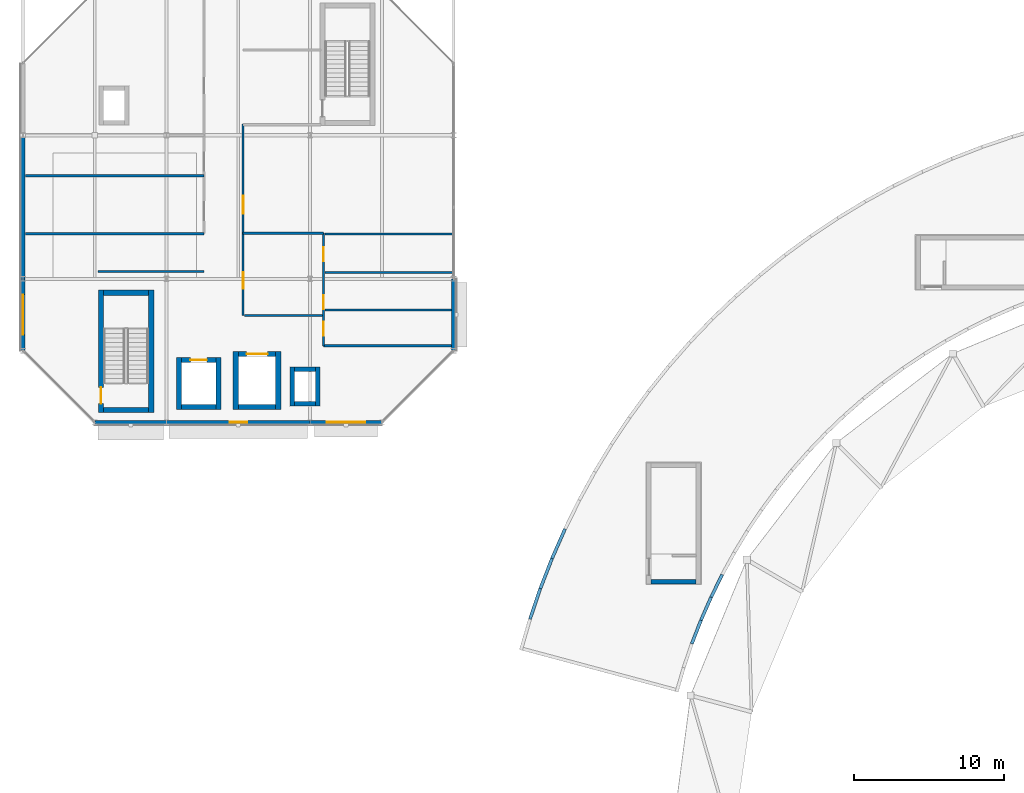
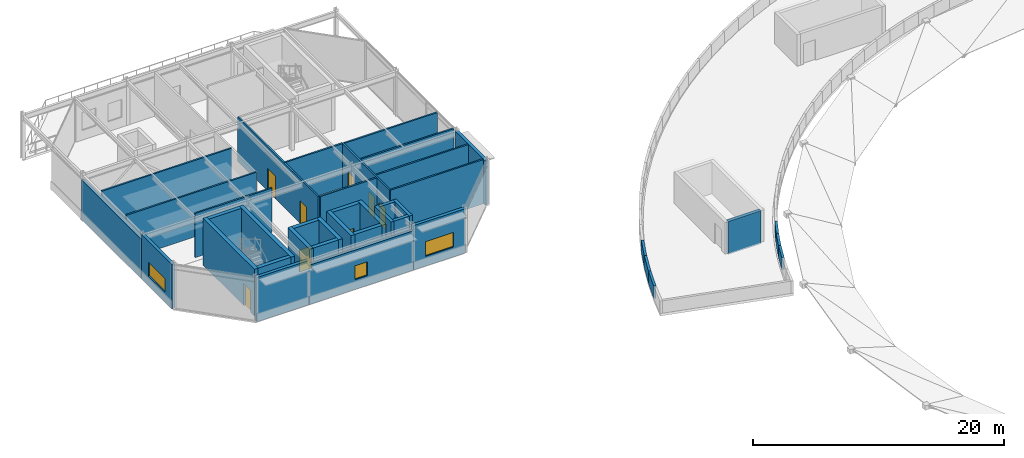
# One storey, part 32 of 50: 40 walls, 8 doors, 3 windows, 11 openings.
"""IFC4 building model written with IfcOpenShell, lengths in metres."""

from ifc_helpers import new_model, si_unit, direction, frame, frame_2d, origin, place, context, subcontext, project, spatial, rectangle, extrude, material, layer, layer_set, type_object, element, fill, save


model = new_model("IFC4")

# Units and contexts
model_context = context("Model", 3, precision=1e-05, world=origin(), true_north=direction((0.0, 1.0)))
body_context = subcontext(model_context, "Body", "Model", "MODEL_VIEW")
ifc_project = project(units=[si_unit("LENGTHUNIT", "METRE"), si_unit("AREAUNIT", "SQUARE_METRE"), si_unit("VOLUMEUNIT", "CUBIC_METRE"), si_unit("PLANEANGLEUNIT", "RADIAN"), si_unit("MASSUNIT", "GRAM", prefix="KILO")], contexts=[model_context])

# Site, building, storey
site_placement = place(None, origin())
site = spatial("IfcSite", under=ifc_project, at=site_placement, CompositionType="ELEMENT")
building_placement = place(site_placement, origin())
building = spatial("IfcBuilding", under=site, at=building_placement, Name="Almandine Court Research Institute", CompositionType="ELEMENT")
storey_placement = place(building_placement, frame((0.0, 0.0, 23.449951171875)))
storey = spatial("IfcBuildingStorey", under=building, at=storey_placement, Name="L05", CompositionType="ELEMENT", Elevation=23.449951171875)

# Wall, opening, window
ifc_material_1 = material(Name="Insulated Ochre Terracotta Rainscreen Wall", Category="masonry")
ifc_layer_1 = layer(ifc_material_1, 0.2900390625)
ifc_layer_set_1 = layer_set([ifc_layer_1], Name="Insulated Ochre Terracotta Rainscreen Wall")
wall_type_1 = type_object("IfcWallType", Name="Wall-EXT-TERR-290", PredefinedType="SOLIDWALL", material=ifc_layer_set_1)
wall_1_placement = place(storey_placement, frame((6.0, 88.803955078125, 0.0), z_axis=(0.0, 0.0, 1.0), x_axis=(0.0, 1.0, 0.0)))
wall_1 = element("IfcWall", 1, at=wall_1_placement, inside=storey, type_object=wall_type_1, Name="L05 Cleanroom West Wall 1", PredefinedType="SOLIDWALL", context=body_context, shape_type="SweptSolid", body=[
    extrude(rectangle(XDim=4.7919921875, YDim=0.2900390625, at=frame_2d((2.39599609375, 0.0))), origin(), (0.0, 0.0, 1.0), 4.31005859375),
])
opening_1_placement = place(wall_1_placement, frame((1.0458984375, 0.0, 0.949951171875)))
opening_1 = element("IfcOpeningElement", 2, at=opening_1_placement, cuts=wall_1, Name="Opening WN-40", PredefinedType="OPENING", context=body_context, shape_type="SweptSolid", body=[
    extrude(rectangle(XDim=2.699951171875, YDim=1.35009765625, at=frame_2d((1.35009765625, 0.675048828125))), frame((0.0, 0.155029296875, 0.0), z_axis=(0.0, -1.0, 0.0), x_axis=(1.0, 0.0, 0.0)), (0.0, 0.0, 1.0), 0.31005859375),
])
ifc_material_2 = material(Name="Thermally Broken Low-E Double-Glazed Window", Category="glass")
window_type_1 = type_object("IfcWindowType", Name="Win-WN-40-2700x1350", PartitioningType="SINGLE_PANEL", PredefinedType="WINDOW", material=ifc_material_2)
window_1_placement = place(opening_1_placement, origin())
window_1 = element("IfcWindow", 3, at=window_1_placement, inside=storey, type_object=window_type_1, Name="L05 Modular Recessed Low-E Window 60", OverallHeight=1.35009765625, OverallWidth=2.699951171875, PartitioningType="SINGLE_PANEL", PredefinedType="WINDOW", context=body_context, shape_type="SweptSolid", body=[
    extrude(rectangle(XDim=2.699951171875, YDim=1.35009765625, at=frame_2d((1.35009765625, 0.675048828125))), frame((0.0, 0.030029296875, 0.0), z_axis=(0.0, -1.0, 0.0), x_axis=(1.0, 0.0, 0.0)), (0.0, 0.0, 1.0), 0.06005859375),
])
fill(opening_1, window_1)

# Walls
wall_2_placement = place(storey_placement, frame((6.0, 93.60400390625, 0.0), z_axis=(0.0, 0.0, 1.0), x_axis=(0.0, 1.0, 0.0)))
element("IfcWall", 4, at=wall_2_placement, inside=storey, type_object=wall_type_1, Name="L05 Cleanroom West Wall 2", PredefinedType="SOLIDWALL", context=body_context, shape_type="SweptSolid", body=[
    extrude(rectangle(XDim=9.592041015625, YDim=0.2900390625, at=frame_2d((4.7958984375, 0.0))), origin(), (0.0, 0.0, 1.0), 3.822021484375),
])
wall_3_placement = place(storey_placement, frame((34.800048828125, 93.595947265625, 0.0), z_axis=(0.0, 0.0, 1.0), x_axis=(0.0, -1.0, 0.0)))
element("IfcWall", 5, at=wall_3_placement, inside=storey, type_object=wall_type_1, Name="L05 Cleanroom East Wall 1", PredefinedType="SOLIDWALL", context=body_context, shape_type="SweptSolid", body=[
    extrude(rectangle(XDim=4.7919921875, YDim=0.2900390625, at=frame_2d((2.39599609375, 0.0))), origin(), (0.0, 0.0, 1.0), 4.31005859375),
])

# Wall, opening, window
wall_4_placement = place(storey_placement, frame((29.99609375, 84.0, 0.0), z_axis=(0.0, 0.0, 1.0), x_axis=(-1.0, 0.0, 0.0)))
wall_4 = element("IfcWall", 6, at=wall_4_placement, inside=storey, type_object=wall_type_1, Name="L05 Cleanroom South Wall 1", PredefinedType="SOLIDWALL", context=body_context, shape_type="SweptSolid", body=[
    extrude(rectangle(XDim=4.7919921875, YDim=0.2900390625, at=frame_2d((2.39599609375, 0.0))), origin(), (0.0, 0.0, 1.0), 4.31005859375),
])
opening_2_placement = place(wall_4_placement, frame((1.10107421875, 0.0, 0.949951171875)))
opening_2 = element("IfcOpeningElement", 7, at=opening_2_placement, cuts=wall_4, Name="Opening WN-42", PredefinedType="OPENING", context=body_context, shape_type="SweptSolid", body=[
    extrude(rectangle(XDim=2.590087890625, YDim=1.429931640625, at=frame_2d((1.294921875, 0.71484375))), frame((0.0, 0.155029296875, 0.0), z_axis=(0.0, -1.0, 0.0), x_axis=(1.0, 0.0, 0.0)), (0.0, 0.0, 1.0), 0.31005859375),
])
window_type_2 = type_object("IfcWindowType", Name="Win-WN-42-2590x1430", PartitioningType="SINGLE_PANEL", PredefinedType="WINDOW", material=ifc_material_2)
window_2_placement = place(opening_2_placement, origin())
window_2 = element("IfcWindow", 8, at=window_2_placement, inside=storey, type_object=window_type_2, Name="L05 Modular Recessed Low-E Window 65", OverallHeight=1.429931640625, OverallWidth=2.590087890625, PartitioningType="SINGLE_PANEL", PredefinedType="WINDOW", context=body_context, shape_type="SweptSolid", body=[
    extrude(rectangle(XDim=2.590087890625, YDim=1.429931640625, at=frame_2d((1.294921875, 0.71484375))), frame((0.0, 0.030029296875, 0.0), z_axis=(0.0, -1.0, 0.0), x_axis=(1.0, 0.0, 0.0)), (0.0, 0.0, 1.0), 0.06005859375),
])
fill(opening_2, window_2)

wall_5_placement = place(storey_placement, frame((25.196044921875, 84.0, 0.0), z_axis=(0.0, 0.0, 1.0), x_axis=(-1.0, 0.0, 0.0)))
wall_5 = element("IfcWall", 9, at=wall_5_placement, inside=storey, type_object=wall_type_1, Name="L05 Cleanroom South Wall 2", PredefinedType="SOLIDWALL", context=body_context, shape_type="SweptSolid", body=[
    extrude(rectangle(XDim=9.592041015625, YDim=0.2900390625, at=frame_2d((4.7958984375, 0.0))), origin(), (0.0, 0.0, 1.0), 3.822021484375),
])
opening_3_placement = place(wall_5_placement, frame((4.216064453125, 0.0, 0.949951171875)))
opening_3 = element("IfcOpeningElement", 10, at=opening_3_placement, cuts=wall_5, Name="Opening WN-43", PredefinedType="OPENING", context=body_context, shape_type="SweptSolid", body=[
    extrude(rectangle(XDim=1.159912109375, YDim=1.35009765625, at=frame_2d((0.580078125, 0.675048828125))), frame((0.0, 0.155029296875, 0.0), z_axis=(0.0, -1.0, 0.0), x_axis=(1.0, 0.0, 0.0)), (0.0, 0.0, 1.0), 0.31005859375),
])
window_type_3 = type_object("IfcWindowType", Name="Win-WN-43-1160x1350", PartitioningType="SINGLE_PANEL", PredefinedType="WINDOW", material=ifc_material_2)
window_3_placement = place(opening_3_placement, origin())
window_3 = element("IfcWindow", 11, at=window_3_placement, inside=storey, type_object=window_type_3, Name="L05 Modular Recessed Low-E Window 66", OverallHeight=1.35009765625, OverallWidth=1.159912109375, PartitioningType="SINGLE_PANEL", PredefinedType="WINDOW", context=body_context, shape_type="SweptSolid", body=[
    extrude(rectangle(XDim=1.159912109375, YDim=1.35009765625, at=frame_2d((0.580078125, 0.675048828125))), frame((0.0, 0.030029296875, 0.0), z_axis=(0.0, -1.0, 0.0), x_axis=(1.0, 0.0, 0.0)), (0.0, 0.0, 1.0), 0.06005859375),
])
fill(opening_3, window_3)

# Walls
wall_6_placement = place(storey_placement, frame((15.595947265625, 84.0, 0.0), z_axis=(0.0, 0.0, 1.0), x_axis=(-1.0, 0.0, 0.0)))
element("IfcWall", 12, at=wall_6_placement, inside=storey, type_object=wall_type_1, Name="L05 Cleanroom South Wall 3", PredefinedType="SOLIDWALL", context=body_context, shape_type="SweptSolid", body=[
    extrude(rectangle(XDim=4.7919921875, YDim=0.2900390625, at=frame_2d((2.39599609375, 0.0))), origin(), (0.0, 0.0, 1.0), 4.31005859375),
])
ifc_material_3 = material(Name="Precast Concrete C40/50", Category="concrete")
ifc_layer_2 = layer(ifc_material_3, 0.2099609375)
ifc_layer_set_2 = layer_set([ifc_layer_2], Name="Precast Concrete C40/50")
wall_type_2 = type_object("IfcWallType", Name="Wall-PAR-210", PredefinedType="PARAPET", material=ifc_layer_set_2)
for number, where, z_axis, x_axis, name in (
    (13, (42.239013671875, 76.8759765625, 0.0), (0.0, 0.0, 1.0), (-0.402821942195, -0.915278363607, 0.0), "L05 Roof Perimeter Parapet 075"),
    (14, (41.37109375, 74.903076171875, 0.0), (0.0, 0.0, 1.0), (-0.36256624658, -0.931958001651, 0.0), "L05 Roof Perimeter Parapet 076"),
):
    element("IfcWall", number, at=place(storey_placement, frame(where, z_axis=z_axis, x_axis=x_axis)), inside=storey, type_object=wall_type_2, Name=name, PredefinedType="PARAPET", context=body_context, shape_type="SweptSolid", body=[
        extrude(rectangle(XDim=2.16015625, YDim=0.2099609375, at=frame_2d((1.080078125, 0.0))), origin(), (0.0, 0.0, 1.0), 1.199951171875),
    ])
wall_7_placement = place(storey_placement, frame((40.589111328125, 72.89501953125, 0.0), z_axis=(0.0, 0.0, 1.0), x_axis=(-0.321412208842, -0.946939381379, 0.0)))
element("IfcWall", 15, at=wall_7_placement, inside=storey, type_object=wall_type_2, Name="L05 Roof Perimeter Parapet 077", PredefinedType="PARAPET", context=body_context, shape_type="SweptSolid", body=[
    extrude(rectangle(XDim=2.159423828125, YDim=0.2099609375, at=frame_2d((1.07958984375, 0.0))), origin(), (0.0, 0.0, 1.0), 1.199951171875),
])
wall_8_placement = place(storey_placement, frame((50.718994140625, 69.2080078125, 0.0), z_axis=(0.0, 0.0, 1.0), x_axis=(0.362600610379, 0.931944632128, 0.0)))
element("IfcWall", 16, at=wall_8_placement, inside=storey, type_object=wall_type_2, Name="L05 Roof Perimeter Parapet 082", PredefinedType="PARAPET", context=body_context, shape_type="SweptSolid", body=[
    extrude(rectangle(XDim=1.67919921875, YDim=0.2099609375, at=frame_2d((0.839599609375, 0.0))), origin(), (0.0, 0.0, 1.0), 1.199951171875),
])
wall_9_placement = place(storey_placement, frame((51.330078125, 70.777099609375, 0.0), z_axis=(0.0, 0.0, 1.0), x_axis=(0.402426884896, 0.915452129995, 0.0)))
element("IfcWall", 17, at=wall_9_placement, inside=storey, type_object=wall_type_2, Name="L05 Roof Perimeter Parapet 083", PredefinedType="PARAPET", context=body_context, shape_type="SweptSolid", body=[
    extrude(rectangle(XDim=1.679931640625, YDim=0.2099609375, at=frame_2d((0.83984375, 0.0))), origin(), (0.0, 0.0, 1.0), 1.199951171875),
])
wall_10_placement = place(storey_placement, frame((52.008056640625, 72.320068359375, 0.0), z_axis=(0.0, 0.0, 1.0), x_axis=(0.442438268735, 0.896798962064, 0.0)))
element("IfcWall", 18, at=wall_10_placement, inside=storey, type_object=wall_type_2, Name="L05 Roof Perimeter Parapet 084", PredefinedType="PARAPET", context=body_context, shape_type="SweptSolid", body=[
    extrude(rectangle(XDim=1.67919921875, YDim=0.2099609375, at=frame_2d((0.839599609375, 0.0))), origin(), (0.0, 0.0, 1.0), 1.199951171875),
])
ifc_material_4 = material(Name="Acoustic Steel-Stud Gypsum Partition Wall", Category="steel")
ifc_layer_3 = layer(ifc_material_4, 0.14990234375)
ifc_layer_set_3 = layer_set([ifc_layer_3], Name="Acoustic Steel-Stud Gypsum Partition Wall")
wall_type_3 = type_object("IfcWallType", Name="Wall-PART-150", PredefinedType="PARTITIONING", material=ifc_layer_set_3)
wall_11_placement = place(storey_placement, frame((26.179931640625, 91.52001953125, 0.0), z_axis=(0.0, 0.0, 1.0), x_axis=(1.0, 0.0, 0.0)))
element("IfcWall", 19, at=wall_11_placement, inside=storey, type_object=wall_type_3, Name="L05 Interior Partition W-V3-L05-WCH-1", PredefinedType="PARTITIONING", context=body_context, shape_type="SweptSolid", body=[
    extrude(rectangle(XDim=8.4599609375, YDim=0.14990234375, at=frame_2d((4.22998046875, 0.0))), origin(), (0.0, 0.0, 1.0), 4.300048828125),
])
for number, where, z_axis, x_axis, name in (
    (20, (26.179931640625, 94.02001953125, 0.0), (0.0, 0.0, 1.0), (1.0, 0.0, 0.0), "L05 Interior Partition W-V3-L05-WCH-2"),
    (21, (26.179931640625, 96.60009765625, 0.0), (0.0, 0.0, 1.0), (1.0, 0.0, 0.0), "L05 Interior Partition W-V3-L05-WCH-3"),
):
    element("IfcWall", number, at=place(storey_placement, frame(where, z_axis=z_axis, x_axis=x_axis)), inside=storey, type_object=wall_type_3, Name=name, PredefinedType="PARTITIONING", context=body_context, shape_type="SweptSolid", body=[
        extrude(rectangle(XDim=8.56005859375, YDim=0.14990234375, at=frame_2d((4.280029296875, 0.0))), origin(), (0.0, 0.0, 1.0), 4.300048828125),
    ])
wall_12_placement = place(storey_placement, frame((26.10009765625, 89.1201171875, 0.0), z_axis=(0.0, 0.0, 1.0), x_axis=(1.0, 0.0, 0.0)))
element("IfcWall", 22, at=wall_12_placement, inside=storey, type_object=wall_type_3, Name="L05 Interior Partition W-V3-L05-WCS", PredefinedType="PARTITIONING", context=body_context, shape_type="SweptSolid", body=[
    extrude(rectangle(XDim=8.539794921875, YDim=0.14990234375, at=frame_2d((4.27001953125, 0.0))), origin(), (0.0, 0.0, 1.0), 4.300048828125),
])

# Wall, openings, doors
wall_13_placement = place(storey_placement, frame((26.10009765625, 89.1201171875, 0.0), z_axis=(0.0, 0.0, 1.0), x_axis=(0.0, 1.0, 0.0)))
wall_13 = element("IfcWall", 23, at=wall_13_placement, inside=storey, type_object=wall_type_3, Name="L05 Interior Partition W-V3-L05-WC-ALL", PredefinedType="PARTITIONING", context=body_context, shape_type="SweptSolid", body=[
    extrude(rectangle(XDim=7.52978515625, YDim=0.14990234375, at=frame_2d((3.764892578125, 0.0))), origin(), (0.0, 0.0, 1.0), 4.300048828125),
])
opening_4_placement = place(wall_13_placement, frame((0.659912109375, 0.0, 0.0)))
opening_4 = element("IfcOpeningElement", 24, at=opening_4_placement, cuts=wall_13, Name="Opening D-01", PredefinedType="OPENING", context=body_context, shape_type="SweptSolid", body=[
    extrude(rectangle(XDim=0.949951171875, YDim=2.10009765625, at=frame_2d((0.47509765625, 1.050048828125))), frame((0.0, 0.0849609375, 0.0), z_axis=(0.0, -1.0, 0.0), x_axis=(1.0, 0.0, 0.0)), (0.0, 0.0, 1.0), 0.169921875),
])
opening_5_placement = place(wall_13_placement, frame((2.43994140625, 0.0, 0.0)))
opening_5 = element("IfcOpeningElement", 25, at=opening_5_placement, cuts=wall_13, Name="Opening D-01", PredefinedType="OPENING", context=body_context, shape_type="SweptSolid", body=[
    extrude(rectangle(XDim=0.949951171875, YDim=2.10009765625, at=frame_2d((0.47509765625, 1.050048828125))), frame((0.0, 0.0849609375, 0.0), z_axis=(0.0, -1.0, 0.0), x_axis=(1.0, 0.0, 0.0)), (0.0, 0.0, 1.0), 0.169921875),
])
opening_6_placement = place(wall_13_placement, frame((5.639892578125, 0.0, 0.0)))
opening_6 = element("IfcOpeningElement", 26, at=opening_6_placement, cuts=wall_13, Name="Opening D-01", PredefinedType="OPENING", context=body_context, shape_type="SweptSolid", body=[
    extrude(rectangle(XDim=0.949951171875, YDim=2.10009765625, at=frame_2d((0.47509765625, 1.050048828125))), frame((0.0, 0.0849609375, 0.0), z_axis=(0.0, -1.0, 0.0), x_axis=(1.0, 0.0, 0.0)), (0.0, 0.0, 1.0), 0.169921875),
])
ifc_material_5 = material(Name="Solid-Core Timber Acoustic Room Door", Category="wood")
door_type_1 = type_object("IfcDoorType", Name="Door-INT-950", OperationType="NOTDEFINED", PredefinedType="DOOR", material=ifc_material_5)
door_1_placement = place(opening_4_placement, origin())
door_1 = element("IfcDoor", 27, at=door_1_placement, inside=storey, type_object=door_type_1, Name="L05 V3 Male Toilet Door", OperationType="SINGLE_SWING_LEFT", OverallHeight=2.10009765625, OverallWidth=0.949951171875, PredefinedType="DOOR", context=body_context, shape_type="SweptSolid", body=[
    extrude(rectangle(XDim=0.949951171875, YDim=2.10009765625, at=frame_2d((0.47509765625, 1.050048828125))), frame((0.0, 0.02490234375, 0.0), z_axis=(0.0, -1.0, 0.0), x_axis=(1.0, 0.0, 0.0)), (0.0, 0.0, 1.0), 0.050048828125),
])
fill(opening_4, door_1)
door_2_placement = place(opening_5_placement, origin())
door_2 = element("IfcDoor", 28, at=door_2_placement, inside=storey, type_object=door_type_1, Name="L05 V3 Female Toilet Door", OperationType="SINGLE_SWING_RIGHT", OverallHeight=2.10009765625, OverallWidth=0.949951171875, PredefinedType="DOOR", context=body_context, shape_type="SweptSolid", body=[
    extrude(rectangle(XDim=0.949951171875, YDim=2.10009765625, at=frame_2d((0.47509765625, 1.050048828125))), frame((0.0, 0.02490234375, 0.0), z_axis=(0.0, -1.0, 0.0), x_axis=(1.0, 0.0, 0.0)), (0.0, 0.0, 1.0), 0.050048828125),
])
fill(opening_5, door_2)
door_3_placement = place(opening_6_placement, origin())
door_3 = element("IfcDoor", 29, at=door_3_placement, inside=storey, type_object=door_type_1, Name="L05 V3 Accessible WC Door", OperationType="SINGLE_SWING_LEFT", OverallHeight=2.10009765625, OverallWidth=0.949951171875, PredefinedType="DOOR", context=body_context, shape_type="SweptSolid", body=[
    extrude(rectangle(XDim=0.949951171875, YDim=2.10009765625, at=frame_2d((0.47509765625, 1.050048828125))), frame((0.0, 0.02490234375, 0.0), z_axis=(0.0, -1.0, 0.0), x_axis=(1.0, 0.0, 0.0)), (0.0, 0.0, 1.0), 0.050048828125),
])
fill(opening_6, door_3)

# Walls
wall_14_placement = place(storey_placement, frame((6.159912109375, 96.6201171875, 0.0), z_axis=(0.0, 0.0, 1.0), x_axis=(1.0, 0.0, 0.0)))
element("IfcWall", 30, at=wall_14_placement, inside=storey, type_object=wall_type_3, Name="L05 Interior Partition W-V3-L05-CSW", PredefinedType="PARTITIONING", context=body_context, shape_type="SweptSolid", body=[
    extrude(rectangle(XDim=11.940185546875, YDim=0.14990234375, at=frame_2d((5.97021484375, 0.0))), origin(), (0.0, 0.0, 1.0), 4.300048828125),
])
wall_15_placement = place(storey_placement, frame((11.02001953125, 94.10009765625, 0.0), z_axis=(0.0, 0.0, 1.0), x_axis=(1.0, 0.0, 0.0)))
element("IfcWall", 31, at=wall_15_placement, inside=storey, type_object=wall_type_3, Name="L05 Interior Partition W-V3-L05-WS", PredefinedType="PARTITIONING", context=body_context, shape_type="SweptSolid", body=[
    extrude(rectangle(XDim=7.080078125, YDim=0.14990234375, at=frame_2d((3.5400390625, 0.0))), origin(), (0.0, 0.0, 1.0), 4.300048828125),
])

# Wall, openings, doors
wall_16_placement = place(storey_placement, frame((20.719970703125, 91.14990234375, 0.0), z_axis=(0.0, 0.0, 1.0), x_axis=(0.0, 1.0, 0.0)))
wall_16 = element("IfcWall", 32, at=wall_16_placement, inside=storey, type_object=wall_type_3, Name="L05 Interior Partition W-V3-L05-CE", PredefinedType="PARTITIONING", context=body_context, shape_type="SweptSolid", body=[
    extrude(rectangle(XDim=12.800048828125, YDim=0.14990234375, at=frame_2d((6.39990234375, 0.0))), origin(), (0.0, 0.0, 1.0), 4.300048828125),
])
opening_7_placement = place(wall_16_placement, frame((1.800048828125, 0.0, 0.0)))
opening_7 = element("IfcOpeningElement", 33, at=opening_7_placement, cuts=wall_16, Name="Opening D-03", PredefinedType="OPENING", context=body_context, shape_type="SweptSolid", body=[
    extrude(rectangle(XDim=1.10009765625, YDim=2.199951171875, at=frame_2d((0.550048828125, 1.10009765625))), frame((0.0, 0.0849609375, 0.0), z_axis=(0.0, -1.0, 0.0), x_axis=(1.0, 0.0, 0.0)), (0.0, 0.0, 1.0), 0.169921875),
])
opening_8_placement = place(wall_16_placement, frame((6.800048828125, 0.0, 0.0)))
opening_8 = element("IfcOpeningElement", 34, at=opening_8_placement, cuts=wall_16, Name="Opening D-04", PredefinedType="OPENING", context=body_context, shape_type="SweptSolid", body=[
    extrude(rectangle(XDim=1.199951171875, YDim=2.199951171875, at=frame_2d((0.60009765625, 1.10009765625))), frame((0.0, 0.0849609375, 0.0), z_axis=(0.0, -1.0, 0.0), x_axis=(1.0, 0.0, 0.0)), (0.0, 0.0, 1.0), 0.169921875),
])
ifc_material_6 = material(Name="Acoustic Vision-Panel Seminar Door")
door_type_2 = type_object("IfcDoorType", Name="Door-INT-1100", OperationType="NOTDEFINED", PredefinedType="DOOR", material=ifc_material_6)
door_4_placement = place(opening_7_placement, origin())
door_4 = element("IfcDoor", 35, at=door_4_placement, inside=storey, type_object=door_type_2, Name="L05 Instrument Room Door", OperationType="SINGLE_SWING_LEFT", OverallHeight=2.199951171875, OverallWidth=1.10009765625, PredefinedType="DOOR", context=body_context, shape_type="SweptSolid", body=[
    extrude(rectangle(XDim=1.10009765625, YDim=2.199951171875, at=frame_2d((0.550048828125, 1.10009765625))), frame((0.0, 0.02490234375, 0.0), z_axis=(0.0, -1.0, 0.0), x_axis=(1.0, 0.0, 0.0)), (0.0, 0.0, 1.0), 0.050048828125),
])
fill(opening_7, door_4)
ifc_material_7 = material(Name="Wide Acoustic Laboratory Suite Door")
door_type_3 = type_object("IfcDoorType", Name="Door-INT-1200", OperationType="NOTDEFINED", PredefinedType="DOOR", material=ifc_material_7)
door_5_placement = place(opening_8_placement, origin())
door_5 = element("IfcDoor", 36, at=door_5_placement, inside=storey, type_object=door_type_3, Name="L05 Nanofabrication Lab Door", OperationType="SINGLE_SWING_RIGHT", OverallHeight=2.199951171875, OverallWidth=1.199951171875, PredefinedType="DOOR", context=body_context, shape_type="SweptSolid", body=[
    extrude(rectangle(XDim=1.199951171875, YDim=2.199951171875, at=frame_2d((0.60009765625, 1.10009765625))), frame((0.0, 0.02490234375, 0.0), z_axis=(0.0, -1.0, 0.0), x_axis=(1.0, 0.0, 0.0)), (0.0, 0.0, 1.0), 0.050048828125),
])
fill(opening_8, door_5)

# Walls
wall_17_placement = place(storey_placement, frame((20.820068359375, 91.14990234375, 0.0), z_axis=(0.0, 0.0, 1.0), x_axis=(1.0, 0.0, 0.0)))
element("IfcWall", 37, at=wall_17_placement, inside=storey, type_object=wall_type_3, Name="L05 Interior Partition W-V3-L05-CES", PredefinedType="PARTITIONING", context=body_context, shape_type="SweptSolid", body=[
    extrude(rectangle(XDim=5.199951171875, YDim=0.14990234375, at=frame_2d((2.60009765625, 0.0))), origin(), (0.0, 0.0, 1.0), 4.300048828125),
])
wall_18_placement = place(storey_placement, frame((20.719970703125, 96.64990234375, 0.0), z_axis=(0.0, 0.0, 1.0), x_axis=(1.0, 0.0, 0.0)))
element("IfcWall", 38, at=wall_18_placement, inside=storey, type_object=wall_type_3, Name="L05 Interior Partition W-V3-L05-SUBN", PredefinedType="PARTITIONING", context=body_context, shape_type="SweptSolid", body=[
    extrude(rectangle(XDim=5.380126953125, YDim=0.14990234375, at=frame_2d((2.68994140625, 0.0))), origin(), (0.0, 0.0, 1.0), 4.300048828125),
])
wall_19_placement = place(storey_placement, frame((6.159912109375, 100.5, 0.0), z_axis=(0.0, 0.0, 1.0), x_axis=(1.0, 0.0, 0.0)))
element("IfcWall", 39, at=wall_19_placement, inside=storey, type_object=wall_type_3, Name="L05 Interior Partition W-V3-L05-SA", PredefinedType="PARTITIONING", context=body_context, shape_type="SweptSolid", body=[
    extrude(rectangle(XDim=11.940185546875, YDim=0.14990234375, at=frame_2d((5.97021484375, 0.0))), origin(), (0.0, 0.0, 1.0), 4.300048828125),
])
ifc_material_8 = material(Name="Concrete C40/50", Category="concrete")
ifc_layer_4 = layer(ifc_material_8, 0.300048828125)
ifc_layer_set_4 = layer_set([ifc_layer_4], Name="Concrete C40/50")
wall_type_4 = type_object("IfcWallType", Name="Wall-SW-CORE-300", PredefinedType="SHEAR", material=ifc_layer_set_4)
wall_20_placement = place(storey_placement, frame((24.0, 85.10009765625, 0.0), z_axis=(0.0, 0.0, 1.0), x_axis=(0.0, 1.0, 0.0)))
element("IfcWall", 40, at=wall_20_placement, inside=storey, type_object=wall_type_4, Name="L05 MEP Riser RS-V3A W Shear Wall", PredefinedType="SHEAR", context=body_context, shape_type="SweptSolid", body=[
    extrude(rectangle(XDim=2.599853515625, YDim=0.300048828125, at=frame_2d((1.2998046875, 0.0))), origin(), (0.0, 0.0, 1.0), 4.3701171875),
])
wall_21_placement = place(storey_placement, frame((24.14990234375, 87.550048828125, 0.0), z_axis=(0.0, 0.0, 1.0), x_axis=(1.0, 0.0, 0.0)))
element("IfcWall", 41, at=wall_21_placement, inside=storey, type_object=wall_type_4, Name="L05 MEP Riser RS-V3A N Shear Wall", PredefinedType="SHEAR", context=body_context, shape_type="SweptSolid", body=[
    extrude(rectangle(XDim=1.400146484375, YDim=0.300048828125, at=frame_2d((0.7001953125, 0.0))), origin(), (0.0, 0.0, 1.0), 4.3701171875),
])
wall_22_placement = place(storey_placement, frame((25.699951171875, 87.699951171875, 0.0), z_axis=(0.0, 0.0, 1.0), x_axis=(0.0, -1.0, 0.0)))
element("IfcWall", 42, at=wall_22_placement, inside=storey, type_object=wall_type_4, Name="L05 MEP Riser RS-V3A E Shear Wall", PredefinedType="SHEAR", context=body_context, shape_type="SweptSolid", body=[
    extrude(rectangle(XDim=2.599853515625, YDim=0.300048828125, at=frame_2d((1.2998046875, 0.0))), origin(), (0.0, 0.0, 1.0), 4.3701171875),
])
wall_23_placement = place(storey_placement, frame((25.550048828125, 85.25, 0.0), z_axis=(0.0, 0.0, 1.0), x_axis=(-1.0, 0.0, 0.0)))
element("IfcWall", 43, at=wall_23_placement, inside=storey, type_object=wall_type_4, Name="L05 MEP Riser RS-V3A S Shear Wall", PredefinedType="SHEAR", context=body_context, shape_type="SweptSolid", body=[
    extrude(rectangle(XDim=1.400146484375, YDim=0.300048828125, at=frame_2d((0.7001953125, 0.0))), origin(), (0.0, 0.0, 1.0), 4.3701171875),
])
ifc_layer_5 = layer(ifc_material_8, 0.300048828125)
ifc_layer_set_5 = layer_set([ifc_layer_5], Name="Concrete C40/50")
wall_type_5 = type_object("IfcWallType", Name="Wall-SW-CORE-300-E", PredefinedType="SHEAR", material=ifc_layer_set_5)
wall_24_placement = place(storey_placement, frame((51.0, 73.35009765625, 0.0), z_axis=(0.0, 0.0, 1.0), x_axis=(-1.0, 0.0, 0.0)))
element("IfcWall", 44, at=wall_24_placement, inside=storey, type_object=wall_type_5, Name="L05 ST-15 Penthouse S Shear Wall", PredefinedType="SHEAR", context=body_context, shape_type="SweptSolid", body=[
    extrude(rectangle(XDim=3.0, YDim=0.300048828125, at=frame_2d((1.5, 0.0))), origin(), (0.0, 0.0, 1.0), 3.199951171875),
])

# Wall, opening, door
ifc_layer_6 = layer(ifc_material_8, 0.35009765625)
ifc_layer_set_6 = layer_set([ifc_layer_6], Name="Concrete C40/50")
wall_type_6 = type_object("IfcWallType", Name="Wall-SW-CORE-350", PredefinedType="SHEAR", material=ifc_layer_set_6)
wall_25_placement = place(storey_placement, frame((11.22509765625, 84.64990234375, 0.0), z_axis=(0.0, 0.0, 1.0), x_axis=(0.0, 1.0, 0.0)))
wall_25 = element("IfcWall", 45, at=wall_25_placement, inside=storey, type_object=wall_type_6, Name="L05 ST-05 W Shear Wall", PredefinedType="SHEAR", context=body_context, shape_type="SweptSolid", body=[
    extrude(rectangle(XDim=8.2001953125, YDim=0.35009765625, at=frame_2d((4.10009765625, 0.0))), origin(), (0.0, 0.0, 1.0), 4.550048828125),
])
opening_9_placement = place(wall_25_placement, frame((0.60009765625, 0.0, 0.0)))
opening_9 = element("IfcOpeningElement", 46, at=opening_9_placement, cuts=wall_25, Name="Opening FD-STAIR", PredefinedType="OPENING", context=body_context, shape_type="SweptSolid", body=[
    extrude(rectangle(XDim=1.10009765625, YDim=2.14990234375, at=frame_2d((0.550048828125, 1.074951171875))), frame((0.0, 0.18505859375, 0.0), z_axis=(0.0, -1.0, 0.0), x_axis=(1.0, 0.0, 0.0)), (0.0, 0.0, 1.0), 0.3701171875),
])
ifc_material_9 = material(Name="Self-Closing Steel Exit Stair Fire Door", Category="steel")
door_type_4 = type_object("IfcDoorType", Name="Door-FD-STAIR-1100", OperationType="NOTDEFINED", PredefinedType="DOOR", material=ifc_material_9)
door_6_placement = place(opening_9_placement, origin())
door_6 = element("IfcDoor", 47, at=door_6_placement, inside=storey, type_object=door_type_4, Name="L05 Exit Stair ST-05 Fire Door", OperationType="SINGLE_SWING_LEFT", OverallHeight=2.14990234375, OverallWidth=1.10009765625, PredefinedType="DOOR", context=body_context, shape_type="SweptSolid", body=[
    extrude(rectangle(XDim=1.10009765625, YDim=2.14990234375, at=frame_2d((0.550048828125, 1.074951171875))), frame((0.0, 0.02490234375, 0.0), z_axis=(0.0, -1.0, 0.0), x_axis=(1.0, 0.0, 0.0)), (0.0, 0.0, 1.0), 0.050048828125),
])
fill(opening_9, door_6)

# Walls
wall_26_placement = place(storey_placement, frame((11.39990234375, 92.675048828125, 0.0), z_axis=(0.0, 0.0, 1.0), x_axis=(1.0, 0.0, 0.0)))
element("IfcWall", 48, at=wall_26_placement, inside=storey, type_object=wall_type_6, Name="L05 ST-05 N Shear Wall", PredefinedType="SHEAR", context=body_context, shape_type="SweptSolid", body=[
    extrude(rectangle(XDim=3.0, YDim=0.35009765625, at=frame_2d((1.5, 0.0))), origin(), (0.0, 0.0, 1.0), 4.550048828125),
])
wall_27_placement = place(storey_placement, frame((14.574951171875, 92.85009765625, 0.0), z_axis=(0.0, 0.0, 1.0), x_axis=(0.0, -1.0, 0.0)))
element("IfcWall", 49, at=wall_27_placement, inside=storey, type_object=wall_type_6, Name="L05 ST-05 E Shear Wall", PredefinedType="SHEAR", context=body_context, shape_type="SweptSolid", body=[
    extrude(rectangle(XDim=8.2001953125, YDim=0.35009765625, at=frame_2d((4.10009765625, 0.0))), origin(), (0.0, 0.0, 1.0), 4.550048828125),
])
wall_28_placement = place(storey_placement, frame((14.39990234375, 84.824951171875, 0.0), z_axis=(0.0, 0.0, 1.0), x_axis=(-1.0, 0.0, 0.0)))
element("IfcWall", 50, at=wall_28_placement, inside=storey, type_object=wall_type_6, Name="L05 ST-05 S Shear Wall", PredefinedType="SHEAR", context=body_context, shape_type="SweptSolid", body=[
    extrude(rectangle(XDim=3.0, YDim=0.35009765625, at=frame_2d((1.5, 0.0))), origin(), (0.0, 0.0, 1.0), 4.550048828125),
])
wall_29_placement = place(storey_placement, frame((16.425048828125, 84.85009765625, 0.0), z_axis=(0.0, 0.0, 1.0), x_axis=(0.0, 1.0, 0.0)))
element("IfcWall", 51, at=wall_29_placement, inside=storey, type_object=wall_type_6, Name="L05 PL-02 Hoistway W Shear Wall", PredefinedType="SHEAR", context=body_context, shape_type="SweptSolid", body=[
    extrude(rectangle(XDim=3.5, YDim=0.35009765625, at=frame_2d((1.75, 0.0))), origin(), (0.0, 0.0, 1.0), 4.550048828125),
])

# Wall, opening, door
wall_30_placement = place(storey_placement, frame((16.60009765625, 88.175048828125, 0.0), z_axis=(0.0, 0.0, 1.0), x_axis=(1.0, 0.0, 0.0)))
wall_30 = element("IfcWall", 52, at=wall_30_placement, inside=storey, type_object=wall_type_6, Name="L05 PL-02 Hoistway N Shear Wall", PredefinedType="SHEAR", context=body_context, shape_type="SweptSolid", body=[
    extrude(rectangle(XDim=2.2998046875, YDim=0.35009765625, at=frame_2d((1.14990234375, 0.0))), origin(), (0.0, 0.0, 1.0), 4.550048828125),
])
opening_10_placement = place(wall_30_placement, frame((0.60009765625, 0.0, 0.0)))
opening_10 = element("IfcOpeningElement", 53, at=opening_10_placement, cuts=wall_30, Name="Opening LD-01", PredefinedType="OPENING", context=body_context, shape_type="SweptSolid", body=[
    extrude(rectangle(XDim=1.10009765625, YDim=2.14990234375, at=frame_2d((0.550048828125, 1.074951171875))), frame((0.0, 0.18505859375, 0.0), z_axis=(0.0, -1.0, 0.0), x_axis=(1.0, 0.0, 0.0)), (0.0, 0.0, 1.0), 0.3701171875),
])
ifc_material_10 = material(Name="Stainless Steel Lift Landing Sliding Door", Category="steel")
door_type_5 = type_object("IfcDoorType", Name="Door-LD-PASS-1100", OperationType="SLIDING_TO_LEFT", PredefinedType="USERDEFINED", material=ifc_material_10)
door_7_placement = place(opening_10_placement, origin())
door_7 = element("IfcDoor", 54, at=door_7_placement, inside=storey, type_object=door_type_5, Name="L05 Cleanroom Pavilion Passenger Lift PL-02 Sliding Landing Door", ObjectType="LANDING DOOR", OperationType="SLIDING_TO_LEFT", OverallHeight=2.14990234375, OverallWidth=1.10009765625, PredefinedType="USERDEFINED", context=body_context, shape_type="SweptSolid", body=[
    extrude(rectangle(XDim=1.10009765625, YDim=2.14990234375, at=frame_2d((0.550048828125, 1.074951171875))), frame((0.0, 0.02490234375, 0.0), z_axis=(0.0, -1.0, 0.0), x_axis=(1.0, 0.0, 0.0)), (0.0, 0.0, 1.0), 0.050048828125),
])
fill(opening_10, door_7)

# Walls
wall_31_placement = place(storey_placement, frame((19.074951171875, 88.35009765625, 0.0), z_axis=(0.0, 0.0, 1.0), x_axis=(0.0, -1.0, 0.0)))
element("IfcWall", 55, at=wall_31_placement, inside=storey, type_object=wall_type_6, Name="L05 PL-02 Hoistway E Shear Wall", PredefinedType="SHEAR", context=body_context, shape_type="SweptSolid", body=[
    extrude(rectangle(XDim=3.5, YDim=0.35009765625, at=frame_2d((1.75, 0.0))), origin(), (0.0, 0.0, 1.0), 4.550048828125),
])
wall_32_placement = place(storey_placement, frame((18.89990234375, 85.02490234375, 0.0), z_axis=(0.0, 0.0, 1.0), x_axis=(-1.0, 0.0, 0.0)))
element("IfcWall", 56, at=wall_32_placement, inside=storey, type_object=wall_type_6, Name="L05 PL-02 Hoistway S Shear Wall", PredefinedType="SHEAR", context=body_context, shape_type="SweptSolid", body=[
    extrude(rectangle(XDim=2.2998046875, YDim=0.35009765625, at=frame_2d((1.14990234375, 0.0))), origin(), (0.0, 0.0, 1.0), 4.550048828125),
])
wall_33_placement = place(storey_placement, frame((20.22509765625, 84.85009765625, 0.0), z_axis=(0.0, 0.0, 1.0), x_axis=(0.0, 1.0, 0.0)))
element("IfcWall", 57, at=wall_33_placement, inside=storey, type_object=wall_type_6, Name="L05 GL-02 Hoistway W Shear Wall", PredefinedType="SHEAR", context=body_context, shape_type="SweptSolid", body=[
    extrude(rectangle(XDim=3.89990234375, YDim=0.35009765625, at=frame_2d((1.949951171875, 0.0))), origin(), (0.0, 0.0, 1.0), 4.550048828125),
])

# Wall, opening, door
wall_34_placement = place(storey_placement, frame((20.39990234375, 88.574951171875, 0.0), z_axis=(0.0, 0.0, 1.0), x_axis=(1.0, 0.0, 0.0)))
wall_34 = element("IfcWall", 58, at=wall_34_placement, inside=storey, type_object=wall_type_6, Name="L05 GL-02 Hoistway N Shear Wall", PredefinedType="SHEAR", context=body_context, shape_type="SweptSolid", body=[
    extrude(rectangle(XDim=2.5, YDim=0.35009765625, at=frame_2d((1.25, 0.0))), origin(), (0.0, 0.0, 1.0), 4.550048828125),
])
opening_11_placement = place(wall_34_placement, frame((0.550048828125, 0.0, 0.0)))
opening_11 = element("IfcOpeningElement", 59, at=opening_11_placement, cuts=wall_34, Name="Opening LD-03", PredefinedType="OPENING", context=body_context, shape_type="SweptSolid", body=[
    extrude(rectangle(XDim=1.39990234375, YDim=2.300048828125, at=frame_2d((0.699951171875, 1.14990234375))), frame((0.0, 0.18505859375, 0.0), z_axis=(0.0, -1.0, 0.0), x_axis=(1.0, 0.0, 0.0)), (0.0, 0.0, 1.0), 0.3701171875),
])
ifc_material_11 = material(Name="Heavy Goods Lift Landing Sliding Door")
door_type_6 = type_object("IfcDoorType", Name="Door-LD-GOOD-1400", OperationType="SLIDING_TO_LEFT", PredefinedType="USERDEFINED", material=ifc_material_11)
door_8_placement = place(opening_11_placement, origin())
door_8 = element("IfcDoor", 60, at=door_8_placement, inside=storey, type_object=door_type_6, Name="L05 Cleanroom Equipment Goods Lift GL-02 Sliding Landing Door", ObjectType="LANDING DOOR", OperationType="SLIDING_TO_LEFT", OverallHeight=2.300048828125, OverallWidth=1.39990234375, PredefinedType="USERDEFINED", context=body_context, shape_type="SweptSolid", body=[
    extrude(rectangle(XDim=1.39990234375, YDim=2.300048828125, at=frame_2d((0.699951171875, 1.14990234375))), frame((0.0, 0.02490234375, 0.0), z_axis=(0.0, -1.0, 0.0), x_axis=(1.0, 0.0, 0.0)), (0.0, 0.0, 1.0), 0.050048828125),
])
fill(opening_11, door_8)

# Walls
wall_35_placement = place(storey_placement, frame((23.074951171875, 88.75, 0.0), z_axis=(0.0, 0.0, 1.0), x_axis=(0.0, -1.0, 0.0)))
element("IfcWall", 61, at=wall_35_placement, inside=storey, type_object=wall_type_6, Name="L05 GL-02 Hoistway E Shear Wall", PredefinedType="SHEAR", context=body_context, shape_type="SweptSolid", body=[
    extrude(rectangle(XDim=3.89990234375, YDim=0.35009765625, at=frame_2d((1.949951171875, 0.0))), origin(), (0.0, 0.0, 1.0), 4.550048828125),
])
wall_36_placement = place(storey_placement, frame((22.89990234375, 85.02490234375, 0.0), z_axis=(0.0, 0.0, 1.0), x_axis=(-1.0, 0.0, 0.0)))
element("IfcWall", 62, at=wall_36_placement, inside=storey, type_object=wall_type_6, Name="L05 GL-02 Hoistway S Shear Wall", PredefinedType="SHEAR", context=body_context, shape_type="SweptSolid", body=[
    extrude(rectangle(XDim=2.5, YDim=0.35009765625, at=frame_2d((1.25, 0.0))), origin(), (0.0, 0.0, 1.0), 4.550048828125),
])

save(model, "model.ifc")
